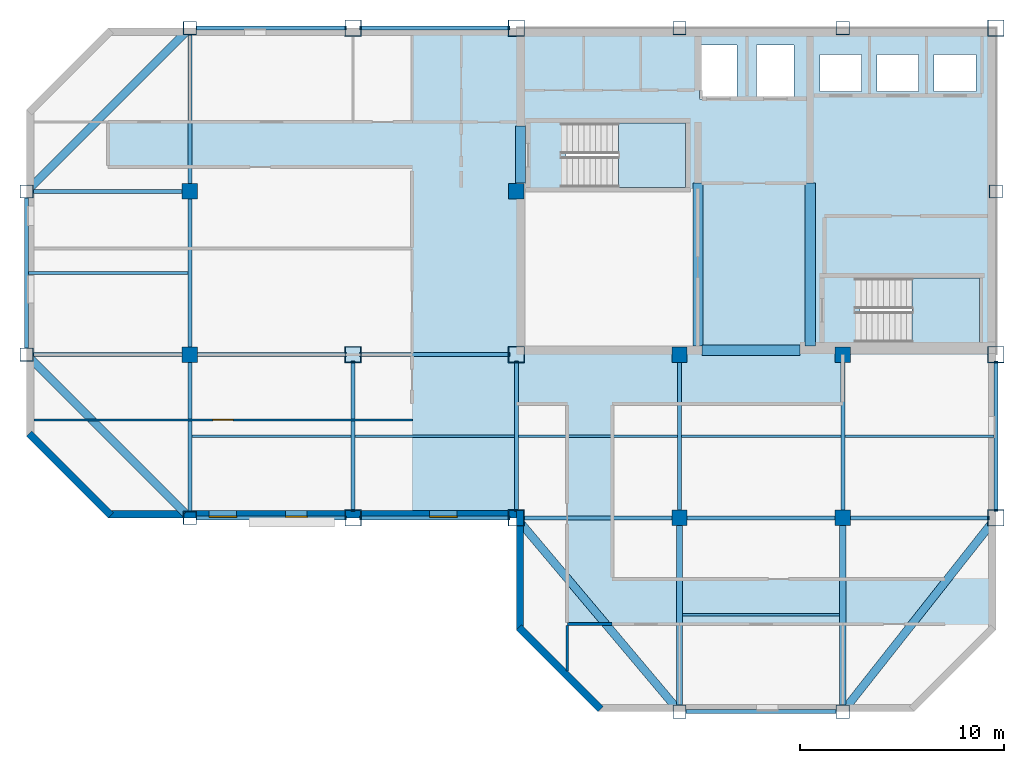
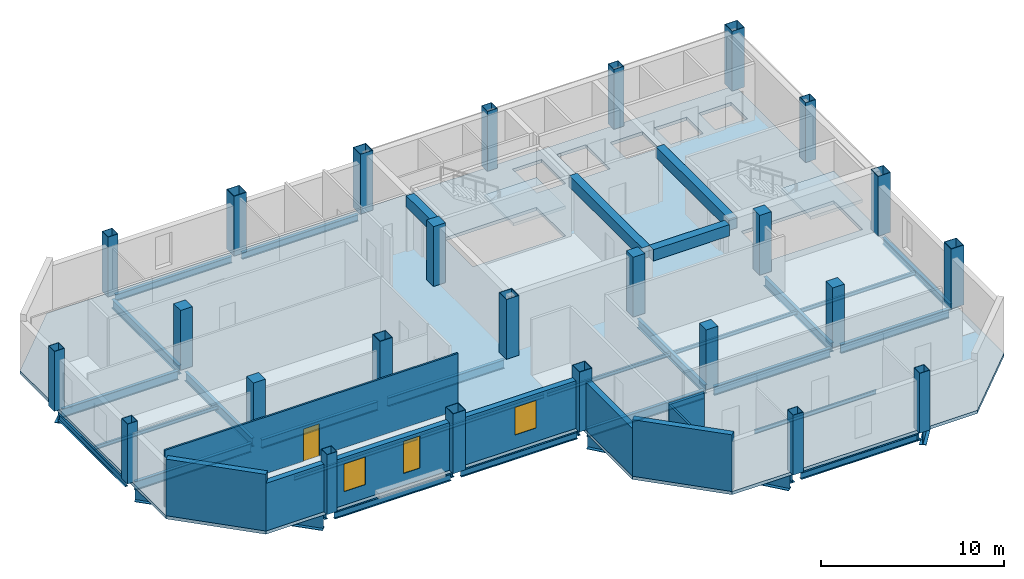
# One storey, part 1 of 7: 38 beams, 25 columns, 7 walls, 3 slabs, 3 windows, 1 door, 4 openings, 2 elements without a shape of their own.
"""IFC4 building model written with IfcOpenShell, lengths in metres."""

import ifcopenshell
import ifcopenshell.guid

model = None  # the IFC model being written
_history = None  # IfcOwnerHistory: only IFC2X3 demands one
_inside = {}  # id of a spatial element -> (the spatial element, [elements in it])
_under = {}  # id of a project, library or spatial element -> (it, [spatial elements below it])
_declared = {}  # id of a project -> (the project, [libraries it declares])
_typed = {}  # id of a type object -> (the type object, [elements of that type])
_made_of = {}  # id of a material, layer set ... -> (it, [elements and type objects made of it])


def new_model(schema):
    """Start an empty IFC model of exactly this schema.

    Asked for "IFC4X3", IfcOpenShell would pick the latest addendum, in which some entities
    have other attributes; the version numbers below select the first issue.
    IFC2X3 requires an IfcOwnerHistory on every rooted entity: one is made here for all.
    """
    global model, _history
    if schema == "IFC4X3":
        model = ifcopenshell.file(schema_version=(4, 3, 0, 0))
    else:
        model = ifcopenshell.file(schema=schema)
    _inside.clear()
    _under.clear()
    _declared.clear()
    _typed.clear()
    _made_of.clear()
    _history = None
    if model.schema == "IFC2X3":
        org = make("IfcOrganization", Name="unknown")
        user = make(
            "IfcPersonAndOrganization",
            ThePerson=make("IfcPerson", FamilyName="unknown"),
            TheOrganization=org,
        )
        app = make(
            "IfcApplication",
            ApplicationDeveloper=org,
            Version="unknown",
            ApplicationFullName="unknown",
            ApplicationIdentifier="unknown",
        )
        _history = make(
            "IfcOwnerHistory",
            OwningUser=user,
            OwningApplication=app,
            ChangeAction="ADDED",
            CreationDate=0,
        )
    return model


def make(cls, **values):
    """One entity of the class cls with the attributes given. An attribute that is None is left unset."""
    return model.create_entity(
        cls, **{name: value for name, value in values.items() if value is not None}
    )


def rooted(cls, **values):
    """An entity with a GlobalId (a new one), such as an element, a storey or a relation."""
    return make(cls, GlobalId=ifcopenshell.guid.new(), OwnerHistory=_history, **values)


def si_unit(unit_type, name, prefix=None):
    """IfcSIUnit, for example si_unit("LENGTHUNIT", "METRE", prefix="MILLI")."""
    return make("IfcSIUnit", UnitType=unit_type, Prefix=prefix, Name=name)


def assignment(units):
    """IfcUnitAssignment: the units of a project."""
    return None if units is None else make("IfcUnitAssignment", Units=units)


def point(xyz):
    """IfcCartesianPoint."""
    return None if xyz is None else make("IfcCartesianPoint", Coordinates=xyz)


def direction(xyz):
    """IfcDirection."""
    return None if xyz is None else make("IfcDirection", DirectionRatios=xyz)


def frame(location, z_axis=None, x_axis=None):
    """IfcAxis2Placement3D, a coordinate frame: its origin and axes. An axis left out is left unset."""
    return make(
        "IfcAxis2Placement3D",
        Location=point(location),
        Axis=direction(z_axis),
        RefDirection=direction(x_axis),
    )


def frame_2d(location, x_axis=None):
    """IfcAxis2Placement2D, a coordinate frame in the plane: its origin and x axis."""
    return make(
        "IfcAxis2Placement2D", Location=point(location), RefDirection=direction(x_axis)
    )


def origin():
    """The frame at (0, 0, 0) with its axes left unset."""
    return frame((0.0, 0.0, 0.0))


def origin_2d():
    """The frame at (0, 0) in the plane with its x axis left unset."""
    return frame_2d((0.0, 0.0))


def place(relative_to, where):
    """IfcLocalPlacement: puts the frame where relative to a parent placement (None: the world)."""
    return make(
        "IfcLocalPlacement", PlacementRelTo=relative_to, RelativePlacement=where
    )


def context(
    kind, dimensions, precision=None, world=None, true_north=None, identifier=None
):
    """IfcGeometricRepresentationContext, for example the 3D "Model" context."""
    return make(
        "IfcGeometricRepresentationContext",
        ContextIdentifier=identifier,
        ContextType=kind,
        CoordinateSpaceDimension=dimensions,
        Precision=precision,
        WorldCoordinateSystem=world,
        TrueNorth=true_north,
    )


def subcontext(parent, identifier, kind, view, scale=None):
    """IfcGeometricRepresentationSubContext, for example "Body" below "Model"."""
    return make(
        "IfcGeometricRepresentationSubContext",
        ContextIdentifier=identifier,
        ContextType=kind,
        ParentContext=parent,
        TargetScale=scale,
        TargetView=view,
    )


def project(units=None, contexts=None):
    """IfcProject with its units and contexts."""
    return rooted(
        "IfcProject",
        Name="project",
        RepresentationContexts=contexts,
        UnitsInContext=assignment(units),
    )


def spatial(cls, under=None, at=None, **own):
    """A site, building, storey or space (cls), placed at a placement, below another one or the project."""
    s = rooted(cls, ObjectPlacement=at, **own)
    if under is not None:
        _under.setdefault(under.id(), (under, []))[1].append(s)
    return s


def polyline(points):
    """IfcPolyline through the points."""
    return make("IfcPolyline", Points=[point(p) for p in points])


def profile(cls, at=None, kind="AREA", **sizes):
    """A parametric profile (cls). Its sizes go by their IFC names, for example OverallWidth=200.0."""
    return make(cls, ProfileType=kind, Position=at, **sizes)


def rectangle(**sizes):
    """IfcRectangleProfileDef."""
    return profile("IfcRectangleProfileDef", **sizes)


def hollow_rectangle(**sizes):
    """IfcRectangleHollowProfileDef."""
    return profile("IfcRectangleHollowProfileDef", **sizes)


def i_section(**sizes):
    """IfcIShapeProfileDef."""
    return profile("IfcIShapeProfileDef", **sizes)


def outline(outer, holes=None, kind="AREA"):
    """IfcArbitraryClosedProfileDef: a profile drawn as a closed curve; with holes, ...WithVoids."""
    if holes is None:
        return make("IfcArbitraryClosedProfileDef", ProfileType=kind, OuterCurve=outer)
    return make(
        "IfcArbitraryProfileDefWithVoids",
        ProfileType=kind,
        OuterCurve=outer,
        InnerCurves=holes,
    )


def extrude(swept, where, along, depth):
    """IfcExtrudedAreaSolid: the profile swept, set in the frame where, extruded along a direction by depth."""
    return make(
        "IfcExtrudedAreaSolid",
        SweptArea=swept,
        Position=where,
        ExtrudedDirection=direction(along),
        Depth=depth,
    )


def shape(context_of_items, identifier, shape_type, items):
    """IfcShapeRepresentation: the items that make up one representation, for example the "Body"."""
    return make(
        "IfcShapeRepresentation",
        ContextOfItems=context_of_items,
        RepresentationIdentifier=identifier,
        RepresentationType=shape_type,
        Items=items,
    )


def material(Name=None, Category=None):
    """IfcMaterial."""
    return make("IfcMaterial", Name=Name, Category=Category)


def layer(
    of_material, thickness, ventilated=None, Name=None, Category=None, Priority=None
):
    """IfcMaterialLayer: one layer of a wall or slab, of a material (None: an air gap)."""
    return make(
        "IfcMaterialLayer",
        Material=of_material,
        LayerThickness=thickness,
        IsVentilated=ventilated,
        Name=Name,
        Category=Category,
        Priority=Priority,
    )


def layer_set(layers, Name=None):
    """IfcMaterialLayerSet."""
    return make("IfcMaterialLayerSet", MaterialLayers=layers, LayerSetName=Name)


def material_profile(
    of_material, cross_section, Name=None, Category=None, Priority=None
):
    """IfcMaterialProfile: a cross section and its material."""
    return make(
        "IfcMaterialProfile",
        Name=Name,
        Material=of_material,
        Profile=cross_section,
        Priority=Priority,
        Category=Category,
    )


def profile_set(profiles, Name=None, composite=None):
    """IfcMaterialProfileSet."""
    return make(
        "IfcMaterialProfileSet",
        Name=Name,
        MaterialProfiles=profiles,
        CompositeProfile=composite,
    )


def made_of(thing, what):
    """Note that an element or type object is made of a material, layer set ...; save() writes the relation."""
    if what is not None:
        _made_of.setdefault(what.id(), (what, []))[1].append(thing)
    return thing


def type_object(cls, material=None, **own):
    """A type object (cls), such as IfcWallType, which elements share."""
    return made_of(rooted(cls, **own), material)


def element(
    cls,
    number,
    at=None,
    inside=None,
    cuts=None,
    type_object=None,
    material=None,
    context=None,
    identifier="Body",
    shape_type=None,
    held_by="IfcProductDefinitionShape",
    body=None,
    shapes=None,
    **own,
):
    """One element of the class cls, such as IfcWall. Its Tag is "e" and its number.

    at: its placement. inside: the storey or other place that contains it. cuts: it is an
    opening in that element (IfcRelVoidsElement). A single representation is given by context,
    identifier, shape_type and body (its items); several are given by shapes. held_by: the class
    of the entity that holds the representations. save() writes the other relations.
    """
    e = rooted(cls, Tag="e%d" % number, ObjectPlacement=at, **own)
    if body is not None:
        shapes = [shape(context, identifier, shape_type, body)]
    if shapes is not None:
        e.Representation = make(held_by, Representations=shapes)
    if inside is not None:
        _inside.setdefault(inside.id(), (inside, []))[1].append(e)
    if cuts is not None:
        rooted(
            "IfcRelVoidsElement", RelatingBuildingElement=cuts, RelatedOpeningElement=e
        )
    if type_object is not None:
        _typed.setdefault(type_object.id(), (type_object, []))[1].append(e)
    return made_of(e, material)


def fill(opening, filler):
    """IfcRelFillsElement: the door or window that sits in an opening."""
    return rooted(
        "IfcRelFillsElement",
        RelatingOpeningElement=opening,
        RelatedBuildingElement=filler,
    )


def aggregate(whole, parts):
    """IfcRelAggregates: a whole, such as a stair, and the parts it consists of."""
    return rooted("IfcRelAggregates", RelatingObject=whole, RelatedObjects=parts)


def save(model, path):
    """Write the relations noted so far, then the file.

    IfcRelAggregates (storeys below a building ...), IfcRelContainedInSpatialStructure (elements
    in a storey), IfcRelDefinesByType, IfcRelAssociatesMaterial and IfcRelDeclares: one each for
    every whole, place, type object, material and project.
    """
    for whole, parts in _under.values():
        aggregate(whole, parts)
    for where, things in _inside.values():
        rooted(
            "IfcRelContainedInSpatialStructure",
            RelatedElements=things,
            RelatingStructure=where,
        )
    for kind, things in _typed.values():
        rooted("IfcRelDefinesByType", RelatedObjects=things, RelatingType=kind)
    for what, things in _made_of.values():
        rooted("IfcRelAssociatesMaterial", RelatedObjects=things, RelatingMaterial=what)
    for by, libraries in _declared.values():
        rooted("IfcRelDeclares", RelatingContext=by, RelatedDefinitions=libraries)
    model.write(path)


model = new_model("IFC4")

# Units and contexts
model_context = context("Model", 3, precision=1e-05, world=origin(), true_north=direction((0.0, 1.0)))
body_context = subcontext(model_context, "Body", "Model", "MODEL_VIEW")
ifc_project = project(units=[si_unit("LENGTHUNIT", "METRE"), si_unit("AREAUNIT", "SQUARE_METRE"), si_unit("VOLUMEUNIT", "CUBIC_METRE"), si_unit("PLANEANGLEUNIT", "RADIAN"), si_unit("MASSUNIT", "GRAM", prefix="KILO")], contexts=[model_context])

# Site, building, storey
site_placement = place(None, origin())
site = spatial("IfcSite", under=ifc_project, at=site_placement, CompositionType="ELEMENT")
building_placement = place(site_placement, origin())
building = spatial("IfcBuilding", under=site, at=building_placement, Name="Qianrong Seaharbour Tower", CompositionType="ELEMENT")
storey_placement = place(building_placement, frame((0.0, 0.0, 303.199951171875)))
storey = spatial("IfcBuildingStorey", under=building, at=storey_placement, Name="L73", CompositionType="ELEMENT", Elevation=303.199951171875)

# Columns
ifc_material_1 = material(Name="Structural steel SN490B", Category="steel")
ifc_material_profile_1 = material_profile(ifc_material_1, hollow_rectangle(XDim=0.800048828125, YDim=0.800048828125, WallThickness=0.031982421875, at=origin_2d()), Name="BOX800x800x32")
ifc_profile_set_1 = profile_set([ifc_material_profile_1], Name="Structural steel SN490B")
column_type_1 = type_object("IfcColumnType", Name="COL-CFT-800", PredefinedType="COLUMN", material=ifc_profile_set_1)
for number, where, z_axis, x_axis, name in (
    (1, (32.5, 28.0, 0.0), (0.0, 0.0, 1.0), (1.0, 0.0, 0.0), "L73 Column MC-5 at G5/GE"),
    (2, (32.5, 36.0, 0.0), (0.0, 0.0, 1.0), (1.0, 0.0, 0.0), "L73 Column MC-5 at G5/GF"),
    (3, (32.5, 52.0, 0.0), (0.0, 0.0, 1.0), (1.0, 0.0, 0.0), "L73 Column MC-5 at G5/GH"),
    (4, (40.5, 28.0, 0.0), (0.0, 0.0, 1.0), (1.0, 0.0, 0.0), "L73 Column MC-5 at G6/GE"),
    (5, (40.5, 36.0, 0.0), (0.0, 0.0, 1.0), (1.0, 0.0, 0.0), "L73 Column MC-5 at G6/GF"),
    (6, (40.5, 52.0, 0.0), (0.0, 0.0, 1.0), (1.0, 0.0, 0.0), "L73 Column MC-5 at G6/GH"),
    (7, (64.0, 28.0, 0.0), (0.0, 0.0, 1.0), (1.0, 0.0, 0.0), "L73 Column MC-5 at G9/GE"),
    (8, (64.0, 36.0, 0.0), (0.0, 0.0, 1.0), (1.0, 0.0, 0.0), "L73 Column MC-5 at G9/GF"),
    (9, (64.0, 52.0, 0.0), (0.0, 0.0, 1.0), (1.0, 0.0, 0.0), "L73 Column MC-5 at G9/GH"),
):
    element("IfcColumn", number, at=place(storey_placement, frame(where, z_axis=z_axis, x_axis=x_axis)), inside=storey, type_object=column_type_1, Name=name, PredefinedType="COLUMN", context=body_context, shape_type="SweptSolid", body=[
        extrude(hollow_rectangle(XDim=0.800048828125, YDim=0.800048828125, WallThickness=0.031982421875, at=origin_2d()), origin(), (0.0, 0.0, 1.0), 4.0),
    ])
ifc_material_2 = material(Name="Concrete C50/60", Category="concrete")
ifc_material_profile_2 = material_profile(ifc_material_2, rectangle(XDim=0.75, YDim=0.75, at=origin_2d()), Name="RC750x750")
ifc_profile_set_2 = profile_set([ifc_material_profile_2], Name="Concrete C50/60")
column_type_2 = type_object("IfcColumnType", Name="COL-INT-RC750", PredefinedType="COLUMN", material=ifc_profile_set_2)
for number, where, z_axis, x_axis, name in (
    (10, (24.5, 36.0, 0.0), (0.0, 0.0, 1.0), (1.0, 0.0, 0.0), "L73 Column IC-4 at G4/GF"),
    (11, (24.5, 44.0, 0.0), (0.0, 0.0, 1.0), (1.0, 0.0, 0.0), "L73 Column IC-4 at G4/GG"),
    (12, (40.5, 44.0, 0.0), (0.0, 0.0, 1.0), (1.0, 0.0, 0.0), "L73 Column IC-4 at G6/GG"),
    (13, (48.5, 28.0, 0.0), (0.0, 0.0, 1.0), (1.0, 0.0, 0.0), "L73 Column IC-4 at G7/GE"),
    (14, (48.5, 36.0, 0.0), (0.0, 0.0, 1.0), (1.0, 0.0, 0.0), "L73 Column IC-4 at G7/GF"),
    (15, (56.5, 28.0, 0.0), (0.0, 0.0, 1.0), (1.0, 0.0, 0.0), "L73 Column IC-4 at G8/GE"),
    (16, (56.5, 36.0, 0.0), (0.0, 0.0, 1.0), (1.0, 0.0, 0.0), "L73 Column IC-4 at G8/GF"),
):
    element("IfcColumn", number, at=place(storey_placement, frame(where, z_axis=z_axis, x_axis=x_axis)), inside=storey, type_object=column_type_2, Name=name, PredefinedType="COLUMN", context=body_context, shape_type="SweptSolid", body=[
        extrude(rectangle(XDim=0.75, YDim=0.75, at=origin_2d()), origin(), (0.0, 0.0, 1.0), 4.0),
    ])
ifc_material_3 = material(Name="Structural steel SN400B", Category="steel")
ifc_material_profile_3 = material_profile(ifc_material_3, hollow_rectangle(XDim=0.64990234375, YDim=0.64990234375, WallThickness=0.028076171875, at=origin_2d()), Name="BOX650x650x28")
ifc_profile_set_3 = profile_set([ifc_material_profile_3], Name="Structural steel SN400B")
column_type_3 = type_object("IfcColumnType", Name="COL-PER-650", PredefinedType="COLUMN", material=ifc_profile_set_3)
for number, where, z_axis, x_axis, name in (
    (17, (16.5, 36.0, 0.0), (0.0, 0.0, 1.0), (1.0, 0.0, 0.0), "L73 Column PC-4 at G3/GF"),
    (18, (16.5, 44.0, 0.0), (0.0, 0.0, 1.0), (1.0, 0.0, 0.0), "L73 Column PC-4 at G3/GG"),
    (19, (24.5, 28.0, 0.0), (0.0, 0.0, 1.0), (1.0, 0.0, 0.0), "L73 Column PC-4 at G4/GE"),
    (20, (24.5, 52.0, 0.0), (0.0, 0.0, 1.0), (1.0, 0.0, 0.0), "L73 Column PC-4 at G4/GH"),
    (21, (48.5, 18.5, 0.0), (0.0, 0.0, 1.0), (1.0, 0.0, 0.0), "L73 Column PC-4 at G7/GD"),
    (22, (48.5, 52.0, 0.0), (0.0, 0.0, 1.0), (1.0, 0.0, 0.0), "L73 Column PC-4 at G7/GH"),
    (23, (56.5, 18.5, 0.0), (0.0, 0.0, 1.0), (1.0, 0.0, 0.0), "L73 Column PC-4 at G8/GD"),
    (24, (56.5, 52.0, 0.0), (0.0, 0.0, 1.0), (1.0, 0.0, 0.0), "L73 Column PC-4 at G8/GH"),
    (25, (64.0, 44.0, 0.0), (0.0, 0.0, 1.0), (1.0, 0.0, 0.0), "L73 Column PC-4 at G9/GG"),
):
    element("IfcColumn", number, at=place(storey_placement, frame(where, z_axis=z_axis, x_axis=x_axis)), inside=storey, type_object=column_type_3, Name=name, PredefinedType="COLUMN", context=body_context, shape_type="SweptSolid", body=[
        extrude(hollow_rectangle(XDim=0.64990234375, YDim=0.64990234375, WallThickness=0.028076171875, at=origin_2d()), origin(), (0.0, 0.0, 1.0), 4.0),
    ])

# Beams
ifc_material_profile_4 = material_profile(ifc_material_1, i_section(OverallWidth=0.199951171875, OverallDepth=0.60009765625, WebThickness=0.010986328125, FlangeThickness=0.01708984375, FilletRadius=0.02197265625, at=origin_2d()), Name="H600x200x11x17")
ifc_profile_set_4 = profile_set([ifc_material_profile_4], Name="Structural steel SN490B")
beam_type_1 = type_object("IfcBeamType", Name="BM-G-600", PredefinedType="BEAM", material=ifc_profile_set_4)
for number, where, z_axis, x_axis, name in (
    (26, (40.820068359375, 28.0, -0.514892578125), (1.0, 0.0, 0.0), (0.0, 1.0, 0.0), "L73 Primary Girder GE G6-G7"),
    (27, (48.820068359375, 28.0, -0.514892578125), (1.0, 0.0, 0.0), (0.0, 1.0, 0.0), "L73 Primary Girder GE G7-G8"),
):
    element("IfcBeam", number, at=place(storey_placement, frame(where, z_axis=z_axis, x_axis=x_axis)), inside=storey, type_object=beam_type_1, Name=name, PredefinedType="BEAM", context=body_context, shape_type="SweptSolid", body=[
        extrude(i_section(OverallWidth=0.199951171875, OverallDepth=0.60009765625, WebThickness=0.010986328125, FlangeThickness=0.01708984375, FilletRadius=0.02197265625, at=origin_2d()), origin(), (0.0, 0.0, 1.0), 7.35986328125),
    ])
beam_1_placement = place(storey_placement, frame((56.820068359375, 28.0, -0.514892578125), z_axis=(1.0, 0.0, 0.0), x_axis=(0.0, 1.0, 0.0)))
element("IfcBeam", 28, at=beam_1_placement, inside=storey, type_object=beam_type_1, Name="L73 Primary Girder GE G8-G9", PredefinedType="BEAM", context=body_context, shape_type="SweptSolid", body=[
    extrude(i_section(OverallWidth=0.199951171875, OverallDepth=0.60009765625, WebThickness=0.010986328125, FlangeThickness=0.01708984375, FilletRadius=0.02197265625, at=origin_2d()), origin(), (0.0, 0.0, 1.0), 6.85986328125),
])
for number, where, z_axis, x_axis, name in (
    (29, (16.820068359375, 36.0, -0.514892578125), (1.0, 0.0, 0.0), (0.0, 1.0, 0.0), "L73 Primary Girder GF G3-G4"),
    (30, (24.820068359375, 36.0, -0.514892578125), (1.0, 0.0, 0.0), (0.0, 1.0, 0.0), "L73 Primary Girder GF G4-G5"),
    (31, (32.820068359375, 36.0, -0.514892578125), (1.0, 0.0, 0.0), (0.0, 1.0, 0.0), "L73 Primary Girder GF G5-G6"),
    (32, (16.820068359375, 44.0, -0.514892578125), (1.0, 0.0, 0.0), (0.0, 1.0, 0.0), "L73 Primary Girder GG G3-G4"),
    (33, (24.5, 28.320068359375, -0.514892578125), (0.0, 1.0, 0.0), (-1.0, 0.0, 0.0), "L73 Primary Girder G4 GE-GF"),
    (34, (24.5, 36.320068359375, -0.514892578125), (0.0, 1.0, 0.0), (-1.0, 0.0, 0.0), "L73 Primary Girder G4 GF-GG"),
    (35, (24.5, 44.320068359375, -0.514892578125), (0.0, 1.0, 0.0), (-1.0, 0.0, 0.0), "L73 Primary Girder G4 GG-GH"),
    (36, (32.5, 28.320068359375, -0.514892578125), (0.0, 1.0, 0.0), (-1.0, 0.0, 0.0), "L73 Primary Girder G5 GE-GF"),
    (37, (40.5, 28.320068359375, -0.514892578125), (0.0, 1.0, 0.0), (-1.0, 0.0, 0.0), "L73 Primary Girder G6 GE-GF"),
    (38, (48.5, 28.320068359375, -0.514892578125), (0.0, 1.0, 0.0), (-1.0, 0.0, 0.0), "L73 Primary Girder G7 GE-GF"),
    (39, (56.5, 28.320068359375, -0.514892578125), (0.0, 1.0, 0.0), (-1.0, 0.0, 0.0), "L73 Primary Girder G8 GE-GF"),
):
    element("IfcBeam", number, at=place(storey_placement, frame(where, z_axis=z_axis, x_axis=x_axis)), inside=storey, type_object=beam_type_1, Name=name, PredefinedType="BEAM", context=body_context, shape_type="SweptSolid", body=[
        extrude(i_section(OverallWidth=0.199951171875, OverallDepth=0.60009765625, WebThickness=0.010986328125, FlangeThickness=0.01708984375, FilletRadius=0.02197265625, at=origin_2d()), origin(), (0.0, 0.0, 1.0), 7.35986328125),
    ])
ifc_material_profile_5 = material_profile(ifc_material_1, i_section(OverallWidth=0.300048828125, OverallDepth=0.800048828125, WebThickness=0.013916015625, FlangeThickness=0.02587890625, FilletRadius=0.028076171875, at=origin_2d()), Name="H800x300x14x26")
ifc_profile_set_5 = profile_set([ifc_material_profile_5], Name="Structural steel SN490B")
beam_type_2 = type_object("IfcBeamType", Name="BM-G-800", PredefinedType="BEAM", material=ifc_profile_set_5)
for number, where, z_axis, x_axis, name in (
    (40, (48.5, 18.820068359375, -0.614990234375), (0.0, 1.0, 0.0), (-1.0, 0.0, 0.0), "L73 Primary Girder G7 GD-GE"),
    (41, (56.5, 18.820068359375, -0.614990234375), (0.0, 1.0, 0.0), (-1.0, 0.0, 0.0), "L73 Primary Girder G8 GD-GE"),
):
    element("IfcBeam", number, at=place(storey_placement, frame(where, z_axis=z_axis, x_axis=x_axis)), inside=storey, type_object=beam_type_2, Name=name, PredefinedType="BEAM", context=body_context, shape_type="SweptSolid", body=[
        extrude(i_section(OverallWidth=0.300048828125, OverallDepth=0.800048828125, WebThickness=0.013916015625, FlangeThickness=0.02587890625, FilletRadius=0.028076171875, at=origin_2d()), origin(), (0.0, 0.0, 1.0), 8.85986328125),
    ])
ifc_material_profile_6 = material_profile(ifc_material_3, i_section(OverallWidth=0.125, OverallDepth=0.25, WebThickness=0.006103515625, FlangeThickness=0.009033203125, FilletRadius=0.011962890625, at=origin_2d()), Name="H250x125x6x9")
ifc_profile_set_6 = profile_set([ifc_material_profile_6], Name="Structural steel SN400B")
beam_type_3 = type_object("IfcBeamType", Name="BM-J-250", PredefinedType="JOIST", material=ifc_profile_set_6)
for number, where, z_axis, x_axis, name in (
    (42, (16.60009765625, 40.0, -0.33984375), (1.0, 0.0, 0.0), (0.0, 1.0, 0.0), "L73 Composite Floor Joist G3-G4/GF-GG"),
    (43, (24.60009765625, 32.0, -0.33984375), (1.0, 0.0, 0.0), (0.0, 1.0, 0.0), "L73 Composite Floor Joist G4-G5/GE-GF"),
    (44, (32.60009765625, 32.0, -0.33984375), (1.0, 0.0, 0.0), (0.0, 1.0, 0.0), "L73 Composite Floor Joist G5-G6/GE-GF"),
    (45, (40.60009765625, 32.0, -0.33984375), (1.0, 0.0, 0.0), (0.0, 1.0, 0.0), "L73 Composite Floor Joist G6-G7/GE-GF"),
):
    element("IfcBeam", number, at=place(storey_placement, frame(where, z_axis=z_axis, x_axis=x_axis)), inside=storey, type_object=beam_type_3, Name=name, PredefinedType="JOIST", context=body_context, shape_type="SweptSolid", body=[
        extrude(i_section(OverallWidth=0.125, OverallDepth=0.25, WebThickness=0.006103515625, FlangeThickness=0.009033203125, FilletRadius=0.011962890625, at=origin_2d()), origin(), (0.0, 0.0, 1.0), 7.7998046875),
    ])
beam_2_placement = place(storey_placement, frame((48.64990234375, 23.25, -0.33984375), z_axis=(1.0, 0.0, 0.0), x_axis=(0.0, 1.0, 0.0)))
element("IfcBeam", 46, at=beam_2_placement, inside=storey, type_object=beam_type_3, Name="L73 Composite Floor Joist G7-G8/GD-GE", PredefinedType="JOIST", context=body_context, shape_type="SweptSolid", body=[
    extrude(i_section(OverallWidth=0.125, OverallDepth=0.25, WebThickness=0.006103515625, FlangeThickness=0.009033203125, FilletRadius=0.011962890625, at=origin_2d()), origin(), (0.0, 0.0, 1.0), 7.7001953125),
])
beam_3_placement = place(storey_placement, frame((48.60009765625, 32.0, -0.33984375), z_axis=(1.0, 0.0, 0.0), x_axis=(0.0, 1.0, 0.0)))
element("IfcBeam", 47, at=beam_3_placement, inside=storey, type_object=beam_type_3, Name="L73 Composite Floor Joist G7-G8/GE-GF", PredefinedType="JOIST", context=body_context, shape_type="SweptSolid", body=[
    extrude(i_section(OverallWidth=0.125, OverallDepth=0.25, WebThickness=0.006103515625, FlangeThickness=0.009033203125, FilletRadius=0.011962890625, at=origin_2d()), origin(), (0.0, 0.0, 1.0), 7.7998046875),
])
beam_4_placement = place(storey_placement, frame((56.60009765625, 32.0, -0.33984375), z_axis=(1.0, 0.0, 0.0), x_axis=(0.0, 1.0, 0.0)))
element("IfcBeam", 48, at=beam_4_placement, inside=storey, type_object=beam_type_3, Name="L73 Composite Floor Joist G8-G9/GE-GF", PredefinedType="JOIST", context=body_context, shape_type="SweptSolid", body=[
    extrude(i_section(OverallWidth=0.125, OverallDepth=0.25, WebThickness=0.006103515625, FlangeThickness=0.009033203125, FilletRadius=0.011962890625, at=origin_2d()), origin(), (0.0, 0.0, 1.0), 7.2998046875),
])
ifc_material_4 = material(Name="Concrete C60/75", Category="concrete")
ifc_material_profile_7 = material_profile(ifc_material_4, rectangle(XDim=0.5, YDim=0.75, at=origin_2d()), Name="RC500x750")
ifc_profile_set_7 = profile_set([ifc_material_profile_7], Name="Concrete C60/75")
beam_type_4 = type_object("IfcBeamType", Name="BM-LINTEL-750", PredefinedType="LINTEL", material=ifc_profile_set_7)
beam_5_placement = place(storey_placement, frame((40.7099609375, 44.39990234375, 3.41015625), z_axis=(0.0, 1.0, 0.0), x_axis=(-1.0, 0.0, 0.0)))
element("IfcBeam", 49, at=beam_5_placement, inside=storey, type_object=beam_type_4, Name="L73 Core Coupling Lintel Beam West", PredefinedType="LINTEL", context=body_context, shape_type="SweptSolid", body=[
    extrude(rectangle(XDim=0.5, YDim=0.75, at=origin_2d()), origin(), (0.0, 0.0, 1.0), 2.800048828125),
])
beam_6_placement = place(storey_placement, frame((49.60009765625, 36.2099609375, 3.41015625), z_axis=(1.0, 0.0, 0.0), x_axis=(0.0, 1.0, 0.0)))
element("IfcBeam", 50, at=beam_6_placement, inside=storey, type_object=beam_type_4, Name="L73 Core Coupling Lintel Beam CBC", PredefinedType="LINTEL", context=body_context, shape_type="SweptSolid", body=[
    extrude(rectangle(XDim=0.5, YDim=0.75, at=origin_2d()), origin(), (0.0, 0.0, 1.0), 4.7998046875),
])
for number, where, z_axis, x_axis, name in (
    (51, (49.39990234375, 36.419921875, 3.41015625), (0.0, 1.0, 0.0), (-1.0, 0.0, 0.0), "L73 Internal Core Coupling Beam IW1"),
    (52, (54.89990234375, 36.419921875, 3.41015625), (0.0, 1.0, 0.0), (-1.0, 0.0, 0.0), "L73 Internal Core Coupling Beam IW2"),
):
    element("IfcBeam", number, at=place(storey_placement, frame(where, z_axis=z_axis, x_axis=x_axis)), inside=storey, type_object=beam_type_4, Name=name, PredefinedType="LINTEL", context=body_context, shape_type="SweptSolid", body=[
        extrude(rectangle(XDim=0.5, YDim=0.75, at=origin_2d()), origin(), (0.0, 0.0, 1.0), 7.97998046875),
    ])
ifc_material_profile_8 = material_profile(ifc_material_3, i_section(OverallWidth=0.199951171875, OverallDepth=0.449951171875, WebThickness=0.009033203125, FlangeThickness=0.013916015625, FilletRadius=0.01806640625, at=origin_2d()), Name="H450x200x9x14")
ifc_profile_set_8 = profile_set([ifc_material_profile_8], Name="Structural steel SN400B")
beam_type_5 = type_object("IfcBeamType", Name="BM-SP-450", PredefinedType="SPANDREL", material=ifc_profile_set_8)
for number, where, z_axis, x_axis, name in (
    (53, (48.820068359375, 18.5, -0.43994140625), (1.0, 0.0, 0.0), (0.0, 1.0, 0.0), "L73 Spandrel Girder GD G7-G8"),
    (54, (24.820068359375, 28.0, -0.43994140625), (1.0, 0.0, 0.0), (0.0, 1.0, 0.0), "L73 Spandrel Girder GE G4-G5"),
    (55, (32.820068359375, 28.0, -0.43994140625), (1.0, 0.0, 0.0), (0.0, 1.0, 0.0), "L73 Spandrel Girder GE G5-G6"),
    (56, (24.820068359375, 52.0, -0.43994140625), (1.0, 0.0, 0.0), (0.0, 1.0, 0.0), "L73 Spandrel Girder GH G4-G5"),
    (57, (32.820068359375, 52.0, -0.43994140625), (1.0, 0.0, 0.0), (0.0, 1.0, 0.0), "L73 Spandrel Girder GH G5-G6"),
    (58, (16.5, 36.320068359375, -0.43994140625), (0.0, 1.0, 0.0), (-1.0, 0.0, 0.0), "L73 Spandrel Girder G3 GF-GG"),
    (59, (64.0, 28.320068359375, -0.43994140625), (0.0, 1.0, 0.0), (-1.0, 0.0, 0.0), "L73 Spandrel Girder G9 GE-GF"),
):
    element("IfcBeam", number, at=place(storey_placement, frame(where, z_axis=z_axis, x_axis=x_axis)), inside=storey, type_object=beam_type_5, Name=name, PredefinedType="SPANDREL", context=body_context, shape_type="SweptSolid", body=[
        extrude(i_section(OverallWidth=0.199951171875, OverallDepth=0.449951171875, WebThickness=0.009033203125, FlangeThickness=0.013916015625, FilletRadius=0.01806640625, at=origin_2d()), origin(), (0.0, 0.0, 1.0), 7.35986328125),
    ])
ifc_material_profile_9 = material_profile(ifc_material_1, i_section(OverallWidth=0.39990234375, OverallDepth=1.10009765625, WebThickness=0.02001953125, FlangeThickness=0.035888671875, at=origin_2d()), Name="BH1100x400x20x36")
ifc_profile_set_9 = profile_set([ifc_material_profile_9], Name="Structural steel SN490B")
beam_type_6 = type_object("IfcBeamType", Name="BM-TG-1100", PredefinedType="BEAM", material=ifc_profile_set_9)
for number, where, z_axis, x_axis, name in (
    (60, (24.273681640625, 28.226318359375, -0.764892578125), (-0.707106781187, 0.707106781187, 0.0), (-0.707106781187, -0.707106781187, 0.0), "L73 Chamfer Corner Spandrel Girder G3/GE"),
    (61, (24.273681640625, 51.773681640625, -0.764892578125), (-0.707106781187, -0.707106781187, 0.0), (0.707106781187, -0.707106781187, 0.0), "L73 Chamfer Corner Spandrel Girder G3/GH"),
):
    element("IfcBeam", number, at=place(storey_placement, frame(where, z_axis=z_axis, x_axis=x_axis)), inside=storey, type_object=beam_type_6, Name=name, PredefinedType="BEAM", context=body_context, shape_type="SweptSolid", body=[
        extrude(i_section(OverallWidth=0.39990234375, OverallDepth=1.10009765625, WebThickness=0.02001953125, FlangeThickness=0.035888671875, at=origin_2d()), origin(), (0.0, 0.0, 1.0), 10.673583984375),
    ])
beam_7_placement = place(storey_placement, frame((48.2939453125, 18.744873046875, -0.764892578125), z_axis=(-0.644151063101, 0.764898299061, 0.0), x_axis=(-0.764898299061, -0.644151063101, 0.0)))
element("IfcBeam", 62, at=beam_7_placement, inside=storey, type_object=beam_type_6, Name="L73 Chamfer Corner Spandrel Girder G6/GD", PredefinedType="BEAM", context=body_context, shape_type="SweptSolid", body=[
    extrude(i_section(OverallWidth=0.39990234375, OverallDepth=1.10009765625, WebThickness=0.02001953125, FlangeThickness=0.035888671875, at=origin_2d()), origin(), (0.0, 0.0, 1.0), 11.77978515625),
])
beam_8_placement = place(storey_placement, frame((56.6982421875, 18.751220703125, -0.764892578125), z_axis=(0.619653955715, 0.784875133487, 0.0), x_axis=(-0.784875133487, 0.619653955715, 0.0)))
element("IfcBeam", 63, at=beam_8_placement, inside=storey, type_object=beam_type_6, Name="L73 Chamfer Corner Spandrel Girder G9/GD", PredefinedType="BEAM", context=body_context, shape_type="SweptSolid", body=[
    extrude(i_section(OverallWidth=0.39990234375, OverallDepth=1.10009765625, WebThickness=0.02001953125, FlangeThickness=0.035888671875, at=origin_2d()), origin(), (0.0, 0.0, 1.0), 11.463623046875),
])

# Stair, slab
stair_type = type_object("IfcStairType", Name="STAIR-DOGLEG-1500-R22", PredefinedType="HALF_TURN_STAIR", material=ifc_material_2)
stair_1_placement = place(storey_placement, origin())
stair_1 = element("IfcStair", 64, at=stair_1_placement, inside=storey, type_object=stair_type, Name="L73 Protected Escape Stair ST-1", PredefinedType="HALF_TURN_STAIR")
ifc_layer_1 = layer(ifc_material_2, 0.199951171875)
ifc_layer_set_1 = layer_set([ifc_layer_1], Name="Concrete C50/60")
slab_type_1 = type_object("IfcSlabType", Name="SLAB-STAIR-LANDING-200", PredefinedType="LANDING", material=ifc_layer_set_1)
slab_1_placement = place(storey_placement, frame((0.0, 0.0, 1.800048828125)))
slab_1 = element("IfcSlab", 65, at=slab_1_placement, type_object=slab_type_1, Name="ST-1 landing 1", PredefinedType="LANDING", context=body_context, shape_type="SweptSolid", body=[
    extrude(outline(polyline([(45.5, 44.199951171875), (48.800048828125, 44.199951171875), (48.800048828125, 47.35009765625), (45.5, 47.35009765625), (45.5, 44.199951171875)])), origin(), (0.0, 0.0, 1.0), 0.199951171875),
])
aggregate(stair_1, [slab_1])

stair_2_placement = place(storey_placement, origin())
stair_2 = element("IfcStair", 66, at=stair_2_placement, inside=storey, type_object=stair_type, Name="L73 Protected Escape Stair ST-2", PredefinedType="HALF_TURN_STAIR")
slab_2_placement = place(storey_placement, frame((0.0, 0.0, 1.800048828125)))
slab_2 = element("IfcSlab", 67, at=slab_2_placement, type_object=slab_type_1, Name="ST-2 landing 1", PredefinedType="LANDING", context=body_context, shape_type="SweptSolid", body=[
    extrude(outline(polyline([(59.89990234375, 36.60009765625), (63.199951171875, 36.60009765625), (63.199951171875, 39.75), (59.89990234375, 39.75), (59.89990234375, 36.60009765625)])), origin(), (0.0, 0.0, 1.0), 0.199951171875),
])
aggregate(stair_2, [slab_2])

# Slab
ifc_layer_2 = layer(ifc_material_2, 0.215087890625)
ifc_layer_set_2 = layer_set([ifc_layer_2], Name="Concrete C50/60")
slab_type_2 = type_object("IfcSlabType", Name="SLAB-Z4-215", PredefinedType="FLOOR", material=ifc_layer_set_2)
slab_3_placement = place(storey_placement, frame((0.0, 0.0, -0.21484375)))
element("IfcSlab", 68, at=slab_3_placement, inside=storey, type_object=slab_type_2, Name="L73 Structural Floor Slab", PredefinedType="FLOOR", context=body_context, shape_type="SweptSolid", body=[
    extrude(outline(polyline([(44.5, 18.5), (60.0, 18.5), (64.0, 22.5), (64.0, 52.0), (20.5, 52.0), (16.5, 48.0), (16.5, 32.0), (20.5, 28.0), (40.5, 28.0), (40.5, 22.5), (44.5, 18.5)]), holes=[polyline([(42.93994140625, 44.199951171875), (42.93994140625, 47.35009765625), (48.800048828125, 47.35009765625), (48.800048828125, 44.199951171875), (42.93994140625, 44.199951171875)]), polyline([(57.340087890625, 36.60009765625), (57.340087890625, 39.75), (63.199951171875, 39.75), (63.199951171875, 36.60009765625), (57.340087890625, 36.60009765625)]), polyline([(49.47998046875, 48.530029296875), (49.47998046875, 51.169921875), (51.320068359375, 51.169921875), (51.320068359375, 48.530029296875), (49.47998046875, 48.530029296875)]), polyline([(52.280029296875, 48.530029296875), (52.280029296875, 51.169921875), (54.1201171875, 51.169921875), (54.1201171875, 48.530029296875), (52.280029296875, 48.530029296875)]), polyline([(55.3798828125, 48.89990234375), (55.3798828125, 50.699951171875), (57.419921875, 50.699951171875), (57.419921875, 48.89990234375), (55.3798828125, 48.89990234375)]), polyline([(58.179931640625, 48.89990234375), (58.179931640625, 50.699951171875), (60.219970703125, 50.699951171875), (60.219970703125, 48.89990234375), (58.179931640625, 48.89990234375)]), polyline([(60.97998046875, 48.89990234375), (60.97998046875, 50.699951171875), (63.02001953125, 50.699951171875), (63.02001953125, 48.89990234375), (60.97998046875, 48.89990234375)])]), origin(), (0.0, 0.0, 1.0), 0.21484375),
])

# Walls
ifc_material_5 = material(Name="Fire-rated acoustic gypsum board partition")
ifc_layer_3 = layer(ifc_material_5, 0.1650390625)
ifc_layer_set_3 = layer_set([ifc_layer_3], Name="Fire-rated acoustic gypsum board partition")
wall_type_1 = type_object("IfcWallType", Name="WALL-CORR-PART-165", PredefinedType="PARTITIONING", material=ifc_layer_set_3)
wall_1_placement = place(storey_placement, frame((45.199951171875, 22.800048828125, 0.0), z_axis=(0.0, 0.0, 1.0), x_axis=(-1.0, 0.0, 0.0)))
element("IfcWall", 69, at=wall_1_placement, inside=storey, type_object=wall_type_1, Name="L73 Interior Partition Wall 029", PredefinedType="PARTITIONING", context=body_context, shape_type="SweptSolid", body=[
    extrude(rectangle(XDim=2.199951171875, YDim=0.1650390625, at=frame_2d((1.10009765625, 0.0))), origin(), (0.0, 0.0, 1.0), 3.78515625),
])
ifc_material_6 = material(Name="Demountable aluminium-framed acoustic office partition", Category="aluminium")
ifc_layer_4 = layer(ifc_material_6, 0.110107421875)
ifc_layer_set_4 = layer_set([ifc_layer_4], Name="Demountable aluminium-framed acoustic office partition")
wall_type_2 = type_object("IfcWallType", Name="WALL-DEMOUNT-110", PredefinedType="MOVABLE", material=ifc_layer_set_4)
wall_2_placement = place(storey_placement, frame((43.0, 22.7255859375, 0.0), z_axis=(0.0, 0.0, 1.0), x_axis=(0.0, -1.0, 0.0)))
element("IfcWall", 70, at=wall_2_placement, inside=storey, type_object=wall_type_2, Name="L73 Interior Partition Wall 034", PredefinedType="MOVABLE", context=body_context, shape_type="SweptSolid", body=[
    extrude(rectangle(XDim=2.227783203125, YDim=0.110107421875, at=frame_2d((1.11376953125, 0.0))), origin(), (0.0, 0.0, 1.0), 3.78515625),
])

# Wall, opening, door
wall_3_placement = place(storey_placement, frame((16.85205078125, 32.800048828125, 0.0), z_axis=(0.0, 0.0, 1.0), x_axis=(1.0, 0.0, 0.0)))
wall_3 = element("IfcWall", 71, at=wall_3_placement, inside=storey, type_object=wall_type_2, Name="L73 Interior Partition Wall 038", PredefinedType="MOVABLE", context=body_context, shape_type="SweptSolid", body=[
    extrude(rectangle(XDim=18.5478515625, YDim=0.110107421875, at=frame_2d((9.27392578125, 0.0))), origin(), (0.0, 0.0, 1.0), 3.78515625),
])
opening_1_placement = place(wall_3_placement, frame((8.77392578125, 0.0, 0.0)))
opening_1 = element("IfcOpeningElement", 72, at=opening_1_placement, cuts=wall_3, Name="Opening DO-01", PredefinedType="OPENING", context=body_context, shape_type="SweptSolid", body=[
    extrude(rectangle(XDim=1.0, YDim=2.14990234375, at=frame_2d((0.5, 1.074951171875))), frame((0.0, 0.06494140625, 0.0), z_axis=(0.0, -1.0, 0.0), x_axis=(1.0, 0.0, 0.0)), (0.0, 0.0, 1.0), 0.130126953125),
])
ifc_material_7 = material(Name="Acoustic timber and galvanized steel fire door assembly", Category="steel")
door_type = type_object("IfcDoorType", Name="DOOR-OFFICE-1000x2150", OperationType="NOTDEFINED", PredefinedType="DOOR", material=ifc_material_7)
door_placement = place(opening_1_placement, origin())
door = element("IfcDoor", 73, at=door_placement, inside=storey, type_object=door_type, Name="L73 Harbour Lecture Hall 1 Door", OperationType="SINGLE_SWING_RIGHT", OverallHeight=2.14990234375, OverallWidth=1.0, PredefinedType="DOOR", context=body_context, shape_type="SweptSolid", body=[
    extrude(rectangle(XDim=1.0, YDim=2.14990234375, at=frame_2d((0.5, 1.074951171875))), frame((0.0, 0.02490234375, 0.0), z_axis=(0.0, -1.0, 0.0), x_axis=(1.0, 0.0, 0.0)), (0.0, 0.0, 1.0), 0.050048828125),
])
fill(opening_1, door)

# Wall
ifc_material_8 = material(Name="Unitised red brick on Precast concrete C45/55", Category="masonry")
ifc_layer_5 = layer(ifc_material_8, 0.360107421875)
ifc_layer_set_5 = layer_set([ifc_layer_5], Name="Unitised red brick on Precast concrete C45/55")
wall_type_3 = type_object("IfcWallType", Name="WALL-EXT-BRICK-RED-360", PredefinedType="SOLIDWALL", material=ifc_layer_set_5)
wall_4_placement = place(storey_placement, frame((40.679931640625, 22.5, 0.0), z_axis=(0.0, 0.0, 1.0), x_axis=(0.0, 1.0, 0.0)))
element("IfcWall", 74, at=wall_4_placement, inside=storey, type_object=wall_type_3, Name="L73 Exterior Masonry Facade Wall REENTRANT_WEST", PredefinedType="SOLIDWALL", context=body_context, shape_type="SweptSolid", body=[
    extrude(rectangle(XDim=5.860107421875, YDim=0.360107421875, at=frame_2d((2.93017578125, 0.0))), origin(), (0.0, 0.0, 1.0), 3.18505859375),
])

# Wall, openings, windows
wall_5_placement = place(storey_placement, frame((40.52001953125, 28.179931640625, 0.0), z_axis=(0.0, 0.0, 1.0), x_axis=(-1.0, 0.0, 0.0)))
wall_5 = element("IfcWall", 75, at=wall_5_placement, inside=storey, type_object=wall_type_3, Name="L73 Exterior Masonry Facade Wall HARBOUR_RIBBON", PredefinedType="SOLIDWALL", context=body_context, shape_type="SweptSolid", body=[
    extrude(rectangle(XDim=20.02001953125, YDim=0.360107421875, at=frame_2d((10.010009765625, 0.0))), origin(), (0.0, 0.0, 1.0), 3.18505859375),
])
opening_2_placement = place(wall_5_placement, frame((2.925048828125, 0.0, 0.89990234375)))
opening_2 = element("IfcOpeningElement", 76, at=opening_2_placement, cuts=wall_5, Name="Opening WN-02", PredefinedType="OPENING", context=body_context, shape_type="SweptSolid", body=[
    extrude(rectangle(XDim=1.35009765625, YDim=1.85009765625, at=frame_2d((0.675048828125, 0.925048828125))), frame((0.0, 0.18994140625, 0.0), z_axis=(0.0, -1.0, 0.0), x_axis=(1.0, 0.0, 0.0)), (0.0, 0.0, 1.0), 0.380126953125),
])
opening_3_placement = place(wall_5_placement, frame((10.27490234375, 0.0, 0.800048828125)))
opening_3 = element("IfcOpeningElement", 77, at=opening_3_placement, cuts=wall_5, Name="Opening WN-14", PredefinedType="OPENING", context=body_context, shape_type="SweptSolid", body=[
    extrude(rectangle(XDim=1.050048828125, YDim=2.14990234375, at=frame_2d((0.52490234375, 1.074951171875))), frame((0.0, 0.18994140625, 0.0), z_axis=(0.0, -1.0, 0.0), x_axis=(1.0, 0.0, 0.0)), (0.0, 0.0, 1.0), 0.380126953125),
])
opening_4_placement = place(wall_5_placement, frame((13.72509765625, 0.0, 0.89990234375)))
opening_4 = element("IfcOpeningElement", 78, at=opening_4_placement, cuts=wall_5, Name="Opening WN-02", PredefinedType="OPENING", context=body_context, shape_type="SweptSolid", body=[
    extrude(rectangle(XDim=1.35009765625, YDim=1.85009765625, at=frame_2d((0.675048828125, 0.925048828125))), frame((0.0, 0.18994140625, 0.0), z_axis=(0.0, -1.0, 0.0), x_axis=(1.0, 0.0, 0.0)), (0.0, 0.0, 1.0), 0.380126953125),
])
ifc_material_9 = material(Name="Insulated low-e double glazing in thermally broken aluminium 6063-T6 frame", Category="aluminium")
window_type_1 = type_object("IfcWindowType", Name="WIN-NARROW-1050x2150", PartitioningType="SINGLE_PANEL", PredefinedType="WINDOW", material=ifc_material_9)
window_1_placement = place(opening_3_placement, origin())
window_1 = element("IfcWindow", 79, at=window_1_placement, inside=storey, type_object=window_type_1, Name="L73 Deep-Set Punched Window 01.03", OverallHeight=2.14990234375, OverallWidth=1.050048828125, PartitioningType="SINGLE_PANEL", PredefinedType="WINDOW", context=body_context, shape_type="SweptSolid", body=[
    extrude(rectangle(XDim=1.050048828125, YDim=2.14990234375, at=frame_2d((0.52490234375, 1.074951171875))), frame((0.0, 0.150146484375, 0.0), z_axis=(0.0, -1.0, 0.0), x_axis=(1.0, 0.0, 0.0)), (0.0, 0.0, 1.0), 0.06005859375),
])
fill(opening_3, window_1)
window_type_2 = type_object("IfcWindowType", Name="WIN-PUNCH-1350x1850", PartitioningType="DOUBLE_PANEL_VERTICAL", PredefinedType="WINDOW", material=ifc_material_9)
window_2_placement = place(opening_2_placement, origin())
window_2 = element("IfcWindow", 80, at=window_2_placement, inside=storey, type_object=window_type_2, Name="L73 Deep-Set Punched Window 01.01", OverallHeight=1.85009765625, OverallWidth=1.35009765625, PartitioningType="DOUBLE_PANEL_VERTICAL", PredefinedType="WINDOW", context=body_context, shape_type="SweptSolid", body=[
    extrude(rectangle(XDim=1.35009765625, YDim=1.85009765625, at=frame_2d((0.675048828125, 0.925048828125))), frame((0.0, 0.150146484375, 0.0), z_axis=(0.0, -1.0, 0.0), x_axis=(1.0, 0.0, 0.0)), (0.0, 0.0, 1.0), 0.06005859375),
])
fill(opening_2, window_2)
window_3_placement = place(opening_4_placement, origin())
window_3 = element("IfcWindow", 81, at=window_3_placement, inside=storey, type_object=window_type_2, Name="L73 Deep-Set Punched Window 01.04", OverallHeight=1.85009765625, OverallWidth=1.35009765625, PartitioningType="DOUBLE_PANEL_VERTICAL", PredefinedType="WINDOW", context=body_context, shape_type="SweptSolid", body=[
    extrude(rectangle(XDim=1.35009765625, YDim=1.85009765625, at=frame_2d((0.675048828125, 0.925048828125))), frame((0.0, 0.150146484375, 0.0), z_axis=(0.0, -1.0, 0.0), x_axis=(1.0, 0.0, 0.0)), (0.0, 0.0, 1.0), 0.06005859375),
])
fill(opening_4, window_3)

# Walls
for number, where, z_axis, x_axis, name in (
    (82, (20.627197265625, 28.127197265625, 0.0), (0.0, 0.0, 1.0), (-0.707106781187, 0.707106781187, 0.0), "L73 Exterior Masonry Facade Wall E02"),
    (83, (44.627197265625, 18.627197265625, 0.0), (0.0, 0.0, 1.0), (-0.707106781187, 0.707106781187, 0.0), "L73 Exterior Masonry Facade Wall E09"),
):
    element("IfcWall", number, at=place(storey_placement, frame(where, z_axis=z_axis, x_axis=x_axis)), inside=storey, type_object=wall_type_3, Name=name, PredefinedType="SOLIDWALL", context=body_context, shape_type="SweptSolid", body=[
        extrude(rectangle(XDim=5.65673828125, YDim=0.360107421875, at=frame_2d((2.828369140625, 0.0))), origin(), (0.0, 0.0, 1.0), 3.78515625),
    ])

save(model, "model.ifc")
